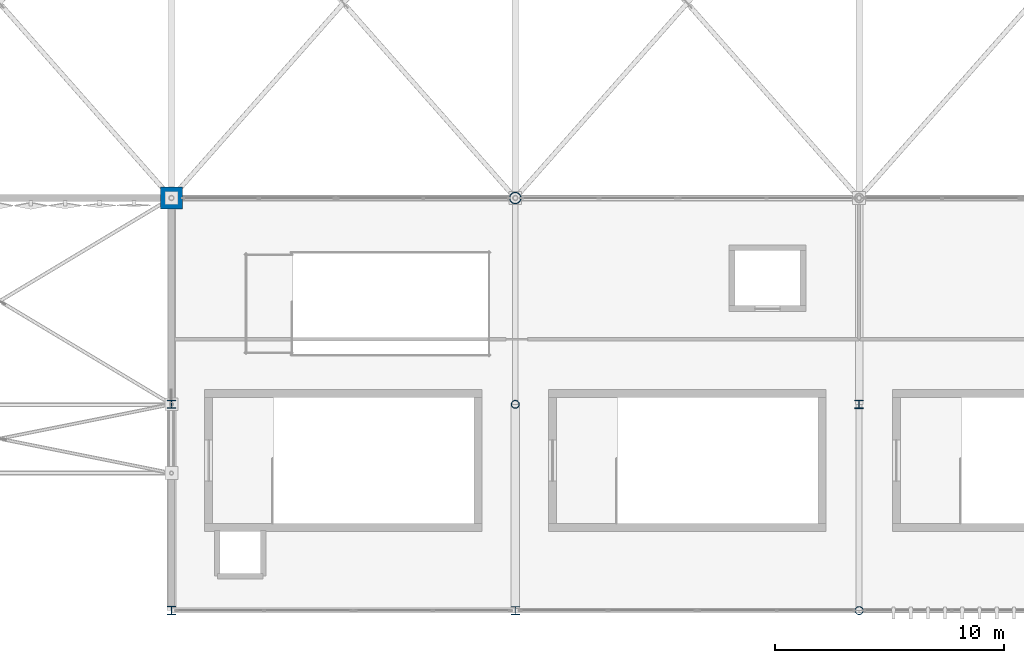
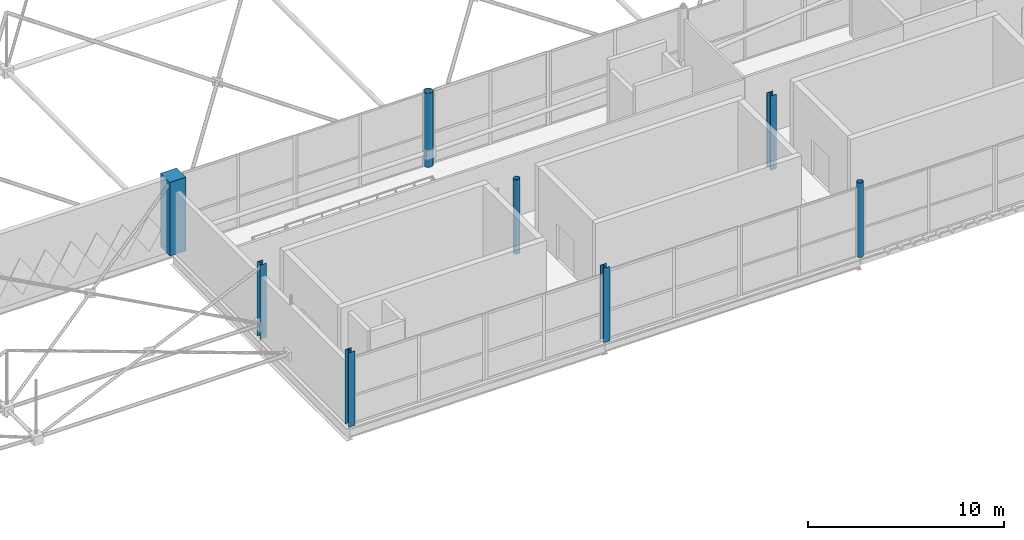
# One storey, part 3 of 224: 8 columns.
"""IFC4 building model written with IfcOpenShell, lengths in metres."""

import ifcopenshell
import ifcopenshell.guid

model = None  # the IFC model being written
_history = None  # IfcOwnerHistory: only IFC2X3 demands one
_inside = {}  # id of a spatial element -> (the spatial element, [elements in it])
_under = {}  # id of a project, library or spatial element -> (it, [spatial elements below it])
_declared = {}  # id of a project -> (the project, [libraries it declares])
_typed = {}  # id of a type object -> (the type object, [elements of that type])
_made_of = {}  # id of a material, layer set ... -> (it, [elements and type objects made of it])


def new_model(schema):
    """Start an empty IFC model of exactly this schema.

    Asked for "IFC4X3", IfcOpenShell would pick the latest addendum, in which some entities
    have other attributes; the version numbers below select the first issue.
    IFC2X3 requires an IfcOwnerHistory on every rooted entity: one is made here for all.
    """
    global model, _history
    if schema == "IFC4X3":
        model = ifcopenshell.file(schema_version=(4, 3, 0, 0))
    else:
        model = ifcopenshell.file(schema=schema)
    _inside.clear()
    _under.clear()
    _declared.clear()
    _typed.clear()
    _made_of.clear()
    _history = None
    if model.schema == "IFC2X3":
        org = make("IfcOrganization", Name="unknown")
        user = make(
            "IfcPersonAndOrganization",
            ThePerson=make("IfcPerson", FamilyName="unknown"),
            TheOrganization=org,
        )
        app = make(
            "IfcApplication",
            ApplicationDeveloper=org,
            Version="unknown",
            ApplicationFullName="unknown",
            ApplicationIdentifier="unknown",
        )
        _history = make(
            "IfcOwnerHistory",
            OwningUser=user,
            OwningApplication=app,
            ChangeAction="ADDED",
            CreationDate=0,
        )
    return model


def make(cls, **values):
    """One entity of the class cls with the attributes given. An attribute that is None is left unset."""
    return model.create_entity(
        cls, **{name: value for name, value in values.items() if value is not None}
    )


def rooted(cls, **values):
    """An entity with a GlobalId (a new one), such as an element, a storey or a relation."""
    return make(cls, GlobalId=ifcopenshell.guid.new(), OwnerHistory=_history, **values)


def si_unit(unit_type, name, prefix=None):
    """IfcSIUnit, for example si_unit("LENGTHUNIT", "METRE", prefix="MILLI")."""
    return make("IfcSIUnit", UnitType=unit_type, Prefix=prefix, Name=name)


def assignment(units):
    """IfcUnitAssignment: the units of a project."""
    return None if units is None else make("IfcUnitAssignment", Units=units)


def point(xyz):
    """IfcCartesianPoint."""
    return None if xyz is None else make("IfcCartesianPoint", Coordinates=xyz)


def direction(xyz):
    """IfcDirection."""
    return None if xyz is None else make("IfcDirection", DirectionRatios=xyz)


def frame(location, z_axis=None, x_axis=None):
    """IfcAxis2Placement3D, a coordinate frame: its origin and axes. An axis left out is left unset."""
    return make(
        "IfcAxis2Placement3D",
        Location=point(location),
        Axis=direction(z_axis),
        RefDirection=direction(x_axis),
    )


def frame_2d(location, x_axis=None):
    """IfcAxis2Placement2D, a coordinate frame in the plane: its origin and x axis."""
    return make(
        "IfcAxis2Placement2D", Location=point(location), RefDirection=direction(x_axis)
    )


def origin():
    """The frame at (0, 0, 0) with its axes left unset."""
    return frame((0.0, 0.0, 0.0))


def origin_2d():
    """The frame at (0, 0) in the plane with its x axis left unset."""
    return frame_2d((0.0, 0.0))


def place(relative_to, where):
    """IfcLocalPlacement: puts the frame where relative to a parent placement (None: the world)."""
    return make(
        "IfcLocalPlacement", PlacementRelTo=relative_to, RelativePlacement=where
    )


def context(
    kind, dimensions, precision=None, world=None, true_north=None, identifier=None
):
    """IfcGeometricRepresentationContext, for example the 3D "Model" context."""
    return make(
        "IfcGeometricRepresentationContext",
        ContextIdentifier=identifier,
        ContextType=kind,
        CoordinateSpaceDimension=dimensions,
        Precision=precision,
        WorldCoordinateSystem=world,
        TrueNorth=true_north,
    )


def subcontext(parent, identifier, kind, view, scale=None):
    """IfcGeometricRepresentationSubContext, for example "Body" below "Model"."""
    return make(
        "IfcGeometricRepresentationSubContext",
        ContextIdentifier=identifier,
        ContextType=kind,
        ParentContext=parent,
        TargetScale=scale,
        TargetView=view,
    )


def project(units=None, contexts=None):
    """IfcProject with its units and contexts."""
    return rooted(
        "IfcProject",
        Name="project",
        RepresentationContexts=contexts,
        UnitsInContext=assignment(units),
    )


def spatial(cls, under=None, at=None, **own):
    """A site, building, storey or space (cls), placed at a placement, below another one or the project."""
    s = rooted(cls, ObjectPlacement=at, **own)
    if under is not None:
        _under.setdefault(under.id(), (under, []))[1].append(s)
    return s


def profile(cls, at=None, kind="AREA", **sizes):
    """A parametric profile (cls). Its sizes go by their IFC names, for example OverallWidth=200.0."""
    return make(cls, ProfileType=kind, Position=at, **sizes)


def rectangle(**sizes):
    """IfcRectangleProfileDef."""
    return profile("IfcRectangleProfileDef", **sizes)


def hollow_circle(**sizes):
    """IfcCircleHollowProfileDef."""
    return profile("IfcCircleHollowProfileDef", **sizes)


def i_section(**sizes):
    """IfcIShapeProfileDef."""
    return profile("IfcIShapeProfileDef", **sizes)


def extrude(swept, where, along, depth):
    """IfcExtrudedAreaSolid: the profile swept, set in the frame where, extruded along a direction by depth."""
    return make(
        "IfcExtrudedAreaSolid",
        SweptArea=swept,
        Position=where,
        ExtrudedDirection=direction(along),
        Depth=depth,
    )


def shape(context_of_items, identifier, shape_type, items):
    """IfcShapeRepresentation: the items that make up one representation, for example the "Body"."""
    return make(
        "IfcShapeRepresentation",
        ContextOfItems=context_of_items,
        RepresentationIdentifier=identifier,
        RepresentationType=shape_type,
        Items=items,
    )


def material(Name=None, Category=None):
    """IfcMaterial."""
    return make("IfcMaterial", Name=Name, Category=Category)


def material_profile(
    of_material, cross_section, Name=None, Category=None, Priority=None
):
    """IfcMaterialProfile: a cross section and its material."""
    return make(
        "IfcMaterialProfile",
        Name=Name,
        Material=of_material,
        Profile=cross_section,
        Priority=Priority,
        Category=Category,
    )


def profile_set(profiles, Name=None, composite=None):
    """IfcMaterialProfileSet."""
    return make(
        "IfcMaterialProfileSet",
        Name=Name,
        MaterialProfiles=profiles,
        CompositeProfile=composite,
    )


def made_of(thing, what):
    """Note that an element or type object is made of a material, layer set ...; save() writes the relation."""
    if what is not None:
        _made_of.setdefault(what.id(), (what, []))[1].append(thing)
    return thing


def type_object(cls, material=None, **own):
    """A type object (cls), such as IfcWallType, which elements share."""
    return made_of(rooted(cls, **own), material)


def element(
    cls,
    number,
    at=None,
    inside=None,
    cuts=None,
    type_object=None,
    material=None,
    context=None,
    identifier="Body",
    shape_type=None,
    held_by="IfcProductDefinitionShape",
    body=None,
    shapes=None,
    **own,
):
    """One element of the class cls, such as IfcWall. Its Tag is "e" and its number.

    at: its placement. inside: the storey or other place that contains it. cuts: it is an
    opening in that element (IfcRelVoidsElement). A single representation is given by context,
    identifier, shape_type and body (its items); several are given by shapes. held_by: the class
    of the entity that holds the representations. save() writes the other relations.
    """
    e = rooted(cls, Tag="e%d" % number, ObjectPlacement=at, **own)
    if body is not None:
        shapes = [shape(context, identifier, shape_type, body)]
    if shapes is not None:
        e.Representation = make(held_by, Representations=shapes)
    if inside is not None:
        _inside.setdefault(inside.id(), (inside, []))[1].append(e)
    if cuts is not None:
        rooted(
            "IfcRelVoidsElement", RelatingBuildingElement=cuts, RelatedOpeningElement=e
        )
    if type_object is not None:
        _typed.setdefault(type_object.id(), (type_object, []))[1].append(e)
    return made_of(e, material)


def aggregate(whole, parts):
    """IfcRelAggregates: a whole, such as a stair, and the parts it consists of."""
    return rooted("IfcRelAggregates", RelatingObject=whole, RelatedObjects=parts)


def save(model, path):
    """Write the relations noted so far, then the file.

    IfcRelAggregates (storeys below a building ...), IfcRelContainedInSpatialStructure (elements
    in a storey), IfcRelDefinesByType, IfcRelAssociatesMaterial and IfcRelDeclares: one each for
    every whole, place, type object, material and project.
    """
    for whole, parts in _under.values():
        aggregate(whole, parts)
    for where, things in _inside.values():
        rooted(
            "IfcRelContainedInSpatialStructure",
            RelatedElements=things,
            RelatingStructure=where,
        )
    for kind, things in _typed.values():
        rooted("IfcRelDefinesByType", RelatedObjects=things, RelatingType=kind)
    for what, things in _made_of.values():
        rooted("IfcRelAssociatesMaterial", RelatedObjects=things, RelatingMaterial=what)
    for by, libraries in _declared.values():
        rooted("IfcRelDeclares", RelatingContext=by, RelatedDefinitions=libraries)
    model.write(path)


model = new_model("IFC4")

# Units and contexts
model_context = context("Model", 3, precision=1e-05, world=origin(), true_north=direction((0.0, 1.0)))
body_context = subcontext(model_context, "Body", "Model", "MODEL_VIEW")
ifc_project = project(units=[si_unit("LENGTHUNIT", "METRE"), si_unit("AREAUNIT", "SQUARE_METRE"), si_unit("VOLUMEUNIT", "CUBIC_METRE"), si_unit("PLANEANGLEUNIT", "RADIAN"), si_unit("MASSUNIT", "GRAM", prefix="KILO")], contexts=[model_context])

# Site, building, storey
site_placement = place(None, origin())
site = spatial("IfcSite", under=ifc_project, at=site_placement, CompositionType="ELEMENT")
building_placement = place(site_placement, origin())
building = spatial("IfcBuilding", under=site, at=building_placement, Name="Qamarlyn Nura Convention Centre", CompositionType="ELEMENT")
storey_placement = place(building_placement, frame((0.0, 0.0, 10.800048828125)))
storey = spatial("IfcBuildingStorey", under=building, at=storey_placement, Name="L02", CompositionType="ELEMENT", Elevation=10.800048828125)

# Columns
ifc_material_1 = material(Name="Pearl-white PVDF steel ASTM A500 Grade C", Category="steel")
ifc_material_profile_1 = material_profile(ifc_material_1, hollow_circle(Radius=0.25390625, WallThickness=0.02001953125, at=origin_2d()), Name="CHS508X20")
ifc_profile_set_1 = profile_set([ifc_material_profile_1], Name="Pearl-white PVDF steel ASTM A500 Grade C")
column_type_1 = type_object("IfcColumnType", Name="COL-HALL-1", PredefinedType="COLUMN", material=ifc_profile_set_1)
column_1_placement = place(storey_placement, frame((75.0, 18.0, 0.0), z_axis=(0.0, 0.0, 1.0), x_axis=(1.0, 0.0, 0.0)))
element("IfcColumn", 1, at=column_1_placement, inside=storey, type_object=column_type_1, Name="L02 column 6/C", PredefinedType="COLUMN", context=body_context, shape_type="SweptSolid", body=[
    extrude(hollow_circle(Radius=0.25390625, WallThickness=0.02001953125, at=origin_2d()), origin(), (0.0, 0.0, 1.0), 4.58984375),
])
ifc_material_2 = material(Name="Concrete C50/60", Category="concrete")
ifc_material_profile_2 = material_profile(ifc_material_2, rectangle(XDim=0.949951171875, YDim=0.949951171875, at=origin_2d()), Name="RC 950x950")
ifc_profile_set_2 = profile_set([ifc_material_profile_2], Name="Concrete C50/60")
column_type_2 = type_object("IfcColumnType", Name="COL-HALL-2", PredefinedType="COLUMN", material=ifc_profile_set_2)
column_2_placement = place(storey_placement, frame((60.0, 18.0, 0.0), z_axis=(0.0, 0.0, 1.0), x_axis=(1.0, 0.0, 0.0)))
element("IfcColumn", 2, at=column_2_placement, inside=storey, type_object=column_type_2, Name="L02 column 5/C", PredefinedType="COLUMN", context=body_context, shape_type="SweptSolid", body=[
    extrude(rectangle(XDim=0.949951171875, YDim=0.949951171875, at=origin_2d()), origin(), (0.0, 0.0, 1.0), 4.58984375),
])
ifc_material_profile_3 = material_profile(ifc_material_1, hollow_circle(Radius=0.177734375, WallThickness=0.01611328125, at=origin_2d()), Name="CHS355.6X16")
ifc_profile_set_3 = profile_set([ifc_material_profile_3], Name="Pearl-white PVDF steel ASTM A500 Grade C")
column_type_3 = type_object("IfcColumnType", Name="COL-TUBE-2", PredefinedType="COLUMN", material=ifc_profile_set_3)
for number, where, z_axis, x_axis, name in (
    (3, (75.0, 9.0, 0.0), (0.0, 0.0, 1.0), (1.0, 0.0, 0.0), "L02 column 6/B"),
    (4, (90.0, 0.0, 0.0), (0.0, 0.0, 1.0), (1.0, 0.0, 0.0), "L02 column 7/A"),
):
    element("IfcColumn", number, at=place(storey_placement, frame(where, z_axis=z_axis, x_axis=x_axis)), inside=storey, type_object=column_type_3, Name=name, PredefinedType="COLUMN", context=body_context, shape_type="SweptSolid", body=[
        extrude(hollow_circle(Radius=0.177734375, WallThickness=0.01611328125, at=origin_2d()), origin(), (0.0, 0.0, 1.0), 4.625),
    ])
ifc_material_3 = material(Name="Steel ASTM A992", Category="steel")
ifc_material_profile_4 = material_profile(ifc_material_3, i_section(OverallWidth=0.3740234375, OverallDepth=0.3720703125, WebThickness=0.016357421875, FlangeThickness=0.026123046875, FilletRadius=0.01611328125, at=origin_2d()), Name="W360X196")
ifc_profile_set_4 = profile_set([ifc_material_profile_4], Name="Steel ASTM A992")
column_type_4 = type_object("IfcColumnType", Name="COL-WING-2", PredefinedType="COLUMN", material=ifc_profile_set_4)
for number, where, z_axis, x_axis, name in (
    (5, (60.0, 0.0, 0.0), (0.0, 0.0, 1.0), (1.0, 0.0, 0.0), "L02 column 5/A"),
    (6, (90.0, 9.0, 0.0), (0.0, 0.0, 1.0), (1.0, 0.0, 0.0), "L02 column 7/B"),
):
    element("IfcColumn", number, at=place(storey_placement, frame(where, z_axis=z_axis, x_axis=x_axis)), inside=storey, type_object=column_type_4, Name=name, PredefinedType="COLUMN", context=body_context, shape_type="SweptSolid", body=[
        extrude(i_section(OverallWidth=0.3740234375, OverallDepth=0.3720703125, WebThickness=0.016357421875, FlangeThickness=0.026123046875, FilletRadius=0.01611328125, at=origin_2d()), origin(), (0.0, 0.0, 1.0), 4.625),
    ])
ifc_material_profile_5 = material_profile(ifc_material_3, i_section(OverallWidth=0.368896484375, OverallDepth=0.35595703125, WebThickness=0.01123046875, FlangeThickness=0.01806640625, FilletRadius=0.014892578125, at=origin_2d()), Name="W360X134")
ifc_profile_set_5 = profile_set([ifc_material_profile_5], Name="Steel ASTM A992")
column_type_5 = type_object("IfcColumnType", Name="COL-WING-3", PredefinedType="COLUMN", material=ifc_profile_set_5)
for number, where, z_axis, x_axis, name in (
    (7, (60.0, 9.0, 0.0), (0.0, 0.0, 1.0), (1.0, 0.0, 0.0), "L02 column 5/B"),
    (8, (75.0, 0.0, 0.0), (0.0, 0.0, 1.0), (1.0, 0.0, 0.0), "L02 column 6/A"),
):
    element("IfcColumn", number, at=place(storey_placement, frame(where, z_axis=z_axis, x_axis=x_axis)), inside=storey, type_object=column_type_5, Name=name, PredefinedType="COLUMN", context=body_context, shape_type="SweptSolid", body=[
        extrude(i_section(OverallWidth=0.368896484375, OverallDepth=0.35595703125, WebThickness=0.01123046875, FlangeThickness=0.01806640625, FilletRadius=0.014892578125, at=origin_2d()), origin(), (0.0, 0.0, 1.0), 4.625),
    ])

save(model, "model.ifc")
